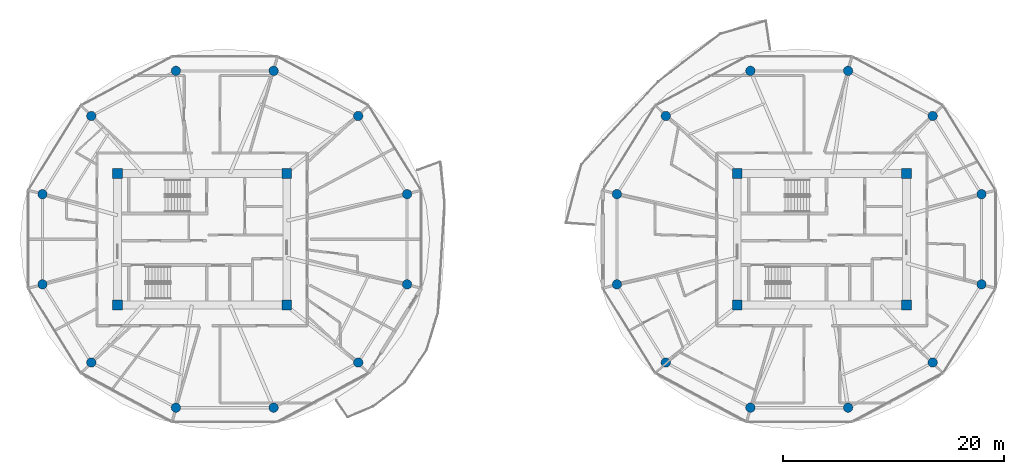
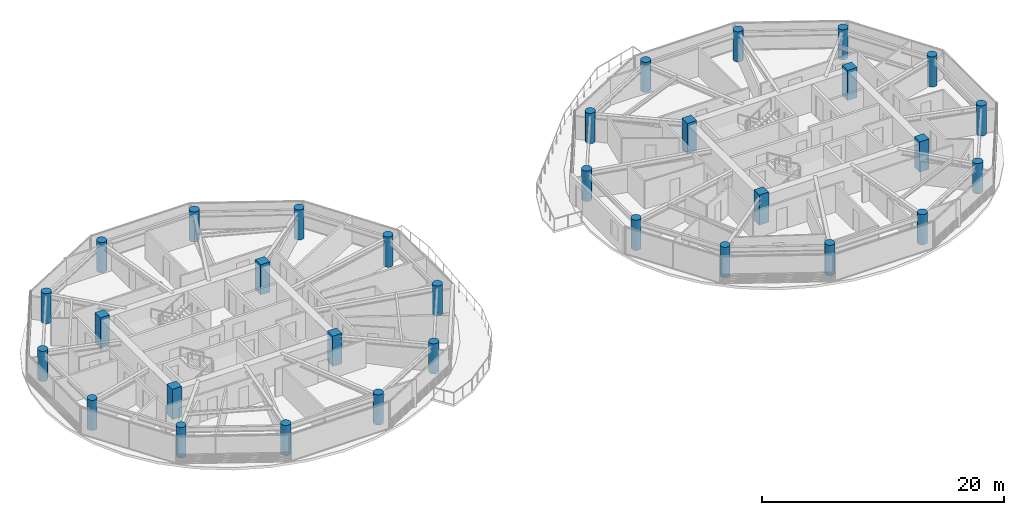
# One storey, part 1 of 22: 32 columns.
"""IFC4 building model written with IfcOpenShell, lengths in metres."""

from ifc_helpers import new_model, si_unit, direction, frame, origin, origin_2d, place, context, subcontext, project, spatial, rectangle, circle, extrude, source, transform, mapped, material, material_profile, profile_set, type_object, type_shapes, element, save


model = new_model("IFC4")

# Units and contexts
model_context = context("Model", 3, precision=1e-05, world=origin(), true_north=direction((0.0, 1.0)))
body_context = subcontext(model_context, "Body", "Model", "MODEL_VIEW")
ifc_project = project(units=[si_unit("LENGTHUNIT", "METRE"), si_unit("AREAUNIT", "SQUARE_METRE"), si_unit("VOLUMEUNIT", "CUBIC_METRE"), si_unit("PLANEANGLEUNIT", "RADIAN"), si_unit("MASSUNIT", "GRAM", prefix="KILO")], contexts=[model_context])

# Site, building, storey
site_placement = place(None, origin())
site = spatial("IfcSite", under=ifc_project, at=site_placement, CompositionType="ELEMENT")
building_placement = place(site_placement, origin())
building = spatial("IfcBuilding", under=site, at=building_placement, Name="Norrkilde Senior Care Towers", CompositionType="ELEMENT")
storey_placement = place(building_placement, frame((0.0, 0.0, 120.64990234375)))
storey = spatial("IfcBuildingStorey", under=building, at=storey_placement, Name="L37", CompositionType="ELEMENT", Elevation=120.64990234375)

# Columns
ifc_material = material(Name="Concrete C60/75", Category="concrete")
ifc_material_profile_1 = material_profile(ifc_material, rectangle(XDim=0.89990234375, YDim=0.89990234375, at=origin_2d()), Name="RC COL 900x900")
ifc_profile_set_1 = profile_set([ifc_material_profile_1], Name="Concrete C60/75")
column_type_1 = type_object("IfcColumnType", Name="Column Core Corner Z1-Z2 900", PredefinedType="COLUMN", material=ifc_profile_set_1)
shared_shape_1 = source(origin(), body_context, "Body", "SweptSolid", [
    extrude(rectangle(XDim=0.89990234375, YDim=0.89990234375, at=origin_2d()), origin(), (0.0, 0.0, 1.0), 3.050048828125),
])
type_shapes(column_type_1, [shared_shape_1])
for number, where, z_axis, x_axis, name in (
    (1, (-35.64990234375, -5.949951171875, 0.0), (0.0, 0.0, 1.0), (1.0, 0.0, 0.0), "L37 Core W Corner Column 1"),
    (2, (-20.35009765625, -5.949951171875, 0.0), (0.0, 0.0, 1.0), (1.0, 0.0, 0.0), "L37 Core W Corner Column 2"),
    (3, (-20.35009765625, 5.949951171875, 0.0), (0.0, 0.0, 1.0), (1.0, 0.0, 0.0), "L37 Core W Corner Column 3"),
    (4, (-35.64990234375, 5.949951171875, 0.0), (0.0, 0.0, 1.0), (1.0, 0.0, 0.0), "L37 Core W Corner Column 4"),
    (5, (20.35009765625, -5.949951171875, 0.0), (0.0, 0.0, 1.0), (1.0, 0.0, 0.0), "L37 Core E Corner Column 1"),
    (6, (35.64990234375, -5.949951171875, 0.0), (0.0, 0.0, 1.0), (1.0, 0.0, 0.0), "L37 Core E Corner Column 2"),
    (7, (35.64990234375, 5.949951171875, 0.0), (0.0, 0.0, 1.0), (1.0, 0.0, 0.0), "L37 Core E Corner Column 3"),
    (8, (20.35009765625, 5.949951171875, 0.0), (0.0, 0.0, 1.0), (1.0, 0.0, 0.0), "L37 Core E Corner Column 4"),
):
    element("IfcColumn", number, at=place(storey_placement, frame(where, z_axis=z_axis, x_axis=x_axis)), inside=storey, type_object=column_type_1, Name=name, PredefinedType="COLUMN", context=body_context, shape_type="MappedRepresentation", body=[
        mapped(shared_shape_1, transform((0.0, 0.0, 0.0), x_axis=(1.0, 0.0, 0.0), y_axis=(0.0, 1.0, 0.0), z_axis=(0.0, 0.0, 1.0), scale=1.0)),
    ])
ifc_material_profile_2 = material_profile(ifc_material, circle(Radius=0.425048828125, at=origin_2d()), Name="RC CIR 850")
ifc_profile_set_2 = profile_set([ifc_material_profile_2], Name="Concrete C60/75")
column_type_2 = type_object("IfcColumnType", Name="Column Perimeter Z2 850", PredefinedType="COLUMN", material=ifc_profile_set_2)
shared_shape_2 = source(origin(), body_context, "Body", "SweptSolid", [
    extrude(circle(Radius=0.425048828125, at=origin_2d()), origin(), (0.0, 0.0, 1.0), 3.050048828125),
])
type_shapes(column_type_2, [shared_shape_2])
for number, where, z_axis, x_axis, name in (
    (9, (-9.48095703125, 4.076416015625, 0.0), (0.0, 0.0, 1.0), (1.0, 0.0, 0.0), "L37 Drum W Perimeter Column 01"),
    (10, (-13.893798828125, 11.136962890625, 0.0), (0.0, 0.0, 1.0), (1.0, 0.0, 0.0), "L37 Drum W Perimeter Column 02"),
    (11, (-21.537109375, 15.21337890625, 0.0), (0.0, 0.0, 1.0), (1.0, 0.0, 0.0), "L37 Drum W Perimeter Column 03"),
    (12, (-30.36279296875, 15.21337890625, 0.0), (0.0, 0.0, 1.0), (1.0, 0.0, 0.0), "L37 Drum W Perimeter Column 04"),
    (13, (-38.006103515625, 11.136962890625, 0.0), (0.0, 0.0, 1.0), (1.0, 0.0, 0.0), "L37 Drum W Perimeter Column 05"),
    (14, (-42.4189453125, 4.076416015625, 0.0), (0.0, 0.0, 1.0), (1.0, 0.0, 0.0), "L37 Drum W Perimeter Column 06"),
    (15, (-42.4189453125, -4.076416015625, 0.0), (0.0, 0.0, 1.0), (1.0, 0.0, 0.0), "L37 Drum W Perimeter Column 07"),
    (16, (-38.006103515625, -11.136962890625, 0.0), (0.0, 0.0, 1.0), (1.0, 0.0, 0.0), "L37 Drum W Perimeter Column 08"),
    (17, (-30.36279296875, -15.21337890625, 0.0), (0.0, 0.0, 1.0), (1.0, 0.0, 0.0), "L37 Drum W Perimeter Column 09"),
    (18, (-21.537109375, -15.21337890625, 0.0), (0.0, 0.0, 1.0), (1.0, 0.0, 0.0), "L37 Drum W Perimeter Column 10"),
    (19, (-13.893798828125, -11.136962890625, 0.0), (0.0, 0.0, 1.0), (1.0, 0.0, 0.0), "L37 Drum W Perimeter Column 11"),
    (20, (-9.48095703125, -4.076416015625, 0.0), (0.0, 0.0, 1.0), (1.0, 0.0, 0.0), "L37 Drum W Perimeter Column 12"),
    (21, (42.4189453125, 4.076416015625, 0.0), (0.0, 0.0, 1.0), (1.0, 0.0, 0.0), "L37 Drum E Perimeter Column 01"),
    (22, (38.006103515625, 11.136962890625, 0.0), (0.0, 0.0, 1.0), (1.0, 0.0, 0.0), "L37 Drum E Perimeter Column 02"),
    (23, (30.36279296875, 15.21337890625, 0.0), (0.0, 0.0, 1.0), (1.0, 0.0, 0.0), "L37 Drum E Perimeter Column 03"),
    (24, (21.537109375, 15.21337890625, 0.0), (0.0, 0.0, 1.0), (1.0, 0.0, 0.0), "L37 Drum E Perimeter Column 04"),
    (25, (13.893798828125, 11.136962890625, 0.0), (0.0, 0.0, 1.0), (1.0, 0.0, 0.0), "L37 Drum E Perimeter Column 05"),
    (26, (9.48095703125, 4.076416015625, 0.0), (0.0, 0.0, 1.0), (1.0, 0.0, 0.0), "L37 Drum E Perimeter Column 06"),
    (27, (9.48095703125, -4.076416015625, 0.0), (0.0, 0.0, 1.0), (1.0, 0.0, 0.0), "L37 Drum E Perimeter Column 07"),
    (28, (13.893798828125, -11.136962890625, 0.0), (0.0, 0.0, 1.0), (1.0, 0.0, 0.0), "L37 Drum E Perimeter Column 08"),
    (29, (21.537109375, -15.21337890625, 0.0), (0.0, 0.0, 1.0), (1.0, 0.0, 0.0), "L37 Drum E Perimeter Column 09"),
    (30, (30.36279296875, -15.21337890625, 0.0), (0.0, 0.0, 1.0), (1.0, 0.0, 0.0), "L37 Drum E Perimeter Column 10"),
    (31, (38.006103515625, -11.136962890625, 0.0), (0.0, 0.0, 1.0), (1.0, 0.0, 0.0), "L37 Drum E Perimeter Column 11"),
    (32, (42.4189453125, -4.076416015625, 0.0), (0.0, 0.0, 1.0), (1.0, 0.0, 0.0), "L37 Drum E Perimeter Column 12"),
):
    element("IfcColumn", number, at=place(storey_placement, frame(where, z_axis=z_axis, x_axis=x_axis)), inside=storey, type_object=column_type_2, Name=name, PredefinedType="COLUMN", context=body_context, shape_type="MappedRepresentation", body=[
        mapped(shared_shape_2, transform((0.0, 0.0, 0.0), x_axis=(1.0, 0.0, 0.0), y_axis=(0.0, 1.0, 0.0), z_axis=(0.0, 0.0, 1.0), scale=1.0)),
    ])

save(model, "model.ifc")
